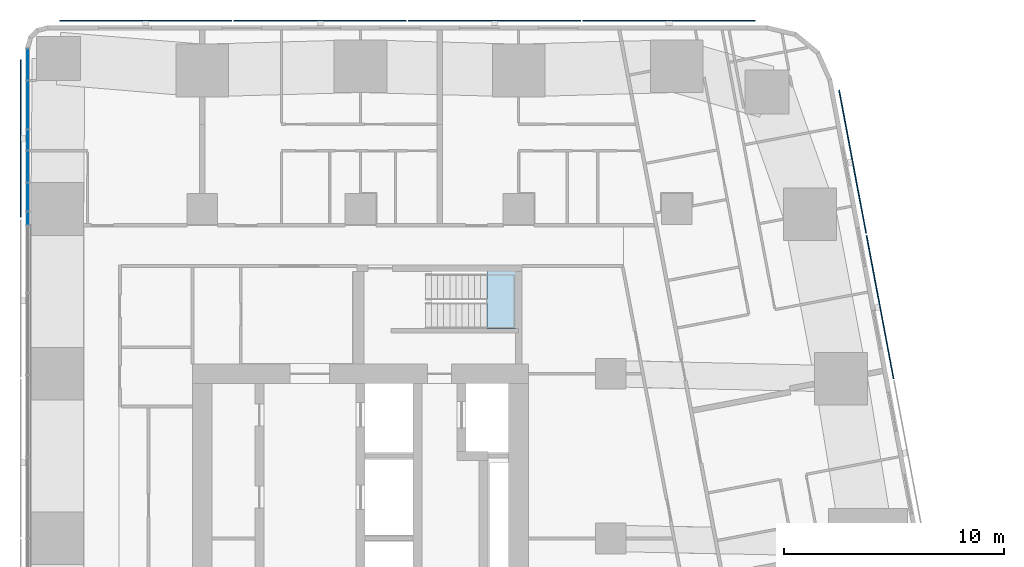
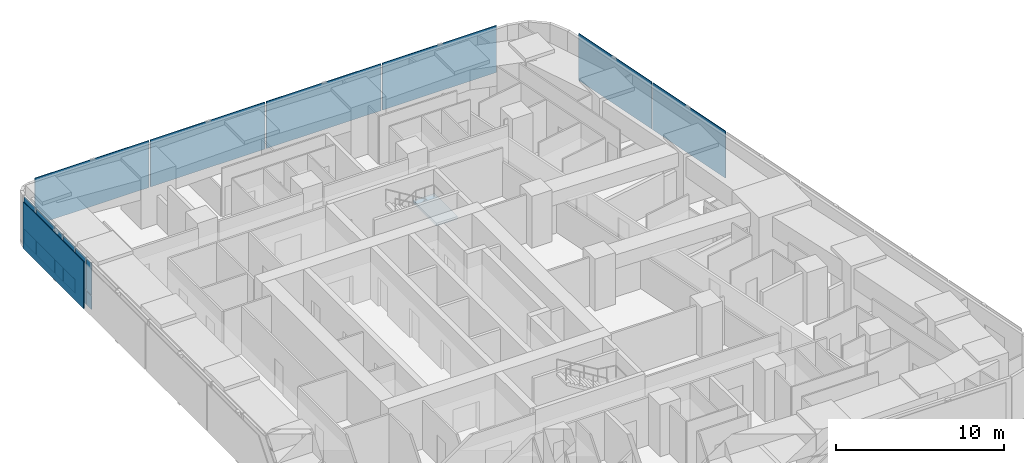
# One storey, part 9 of 19: 19 plates, 1 slab, 2 elements without a shape of their own.
"""IFC4 building model written with IfcOpenShell, lengths in metres."""

from ifc_helpers import new_model, si_unit, direction, frame, origin, origin_2d, place, context, subcontext, project, spatial, polyline, rectangle, outline, extrude, material, layer, layer_set, type_object, element, aggregate, save


model = new_model("IFC4")

# Units and contexts
model_context = context("Model", 3, precision=1e-05, world=origin(), true_north=direction((0.0, 1.0)))
body_context = subcontext(model_context, "Body", "Model", "MODEL_VIEW")
ifc_project = project(units=[si_unit("LENGTHUNIT", "METRE"), si_unit("AREAUNIT", "SQUARE_METRE"), si_unit("VOLUMEUNIT", "CUBIC_METRE"), si_unit("PLANEANGLEUNIT", "RADIAN"), si_unit("MASSUNIT", "GRAM", prefix="KILO")], contexts=[model_context])

# Site, building, storey
site_placement = place(None, origin())
site = spatial("IfcSite", under=ifc_project, at=site_placement, CompositionType="ELEMENT")
building_placement = place(site_placement, origin())
building = spatial("IfcBuilding", under=site, at=building_placement, Name="Sheger Commons Tower", CompositionType="ELEMENT")
storey_placement = place(building_placement, frame((0.0, 0.0, 219.949951171875)))
storey = spatial("IfcBuildingStorey", under=building, at=storey_placement, Name="L56", CompositionType="ELEMENT", Elevation=219.949951171875)

# Curtain wall, plates
ifc_material_1 = material(Name="Black aluminium curtain wall, dark tinted glazing", Category="aluminium")
curtain_wall_type = type_object("IfcCurtainWallType", Name="CURTAIN WALL CW4 GALLERY", PredefinedType="USERDEFINED", material=ifc_material_1)
curtain_wall_placement = place(storey_placement, origin())
curtain_wall = element("IfcCurtainWall", 1, at=curtain_wall_placement, inside=storey, type_object=curtain_wall_type, Name="Curtain Wall Cw4 Gallery W1 L56", ObjectType="UNITISED CURTAIN WALL", PredefinedType="USERDEFINED")
ifc_material_2 = material(Name="Dark tinted double glazing", Category="glass")
ifc_layer_1 = layer(ifc_material_2, 0.031982421875)
ifc_layer_set_1 = layer_set([ifc_layer_1], Name="GLAZED PANEL 32")
plate_type_1 = type_object("IfcPlateType", Name="GLAZED PANEL 32", PredefinedType="CURTAIN_PANEL", material=ifc_layer_set_1)
plate_1_placement = place(storey_placement, frame((6.449951171875, 44.0751953125, 0.065185546875), z_axis=(0.0, 0.0, 1.0), x_axis=(0.0, -1.0, 0.0)))
plate_1 = element("IfcPlate", 2, at=plate_1_placement, type_object=plate_type_1, Name="CW4 panel 1.1", PredefinedType="CURTAIN_PANEL", context=body_context, shape_type="SweptSolid", body=[
    extrude(rectangle(XDim=1.3935546875, YDim=0.031982421875, at=origin_2d()), origin(), (0.0, 0.0, 1.0), 1.00244140625),
])
plate_2_placement = place(storey_placement, frame((6.449951171875, 44.0751953125, 1.13232421875), z_axis=(0.0, 0.0, 1.0), x_axis=(0.0, -1.0, 0.0)))
plate_2 = element("IfcPlate", 3, at=plate_2_placement, type_object=plate_type_1, Name="CW4 panel 1.2", PredefinedType="CURTAIN_PANEL", context=body_context, shape_type="SweptSolid", body=[
    extrude(rectangle(XDim=1.3935546875, YDim=0.031982421875, at=origin_2d()), origin(), (0.0, 0.0, 1.0), 2.302490234375),
])
plate_3_placement = place(storey_placement, frame((6.449951171875, 42.22998046875, 0.065185546875), z_axis=(0.0, 0.0, 1.0), x_axis=(0.0, -1.0, 0.0)))
plate_3 = element("IfcPlate", 4, at=plate_3_placement, type_object=plate_type_1, Name="CW4 panel 2.1", PredefinedType="CURTAIN_PANEL", context=body_context, shape_type="SweptSolid", body=[
    extrude(rectangle(XDim=2.1669921875, YDim=0.031982421875, at=origin_2d()), origin(), (0.0, 0.0, 1.0), 1.00244140625),
])
plate_4_placement = place(storey_placement, frame((6.449951171875, 42.22998046875, 1.13232421875), z_axis=(0.0, 0.0, 1.0), x_axis=(0.0, -1.0, 0.0)))
plate_4 = element("IfcPlate", 5, at=plate_4_placement, type_object=plate_type_1, Name="CW4 panel 2.2", PredefinedType="CURTAIN_PANEL", context=body_context, shape_type="SweptSolid", body=[
    extrude(rectangle(XDim=2.1669921875, YDim=0.031982421875, at=origin_2d()), origin(), (0.0, 0.0, 1.0), 2.302490234375),
])
plate_5_placement = place(storey_placement, frame((6.449951171875, 40.632080078125, 0.065185546875), z_axis=(0.0, 0.0, 1.0), x_axis=(0.0, -1.0, 0.0)))
plate_5 = element("IfcPlate", 6, at=plate_5_placement, type_object=plate_type_1, Name="CW4 panel 3.1", PredefinedType="CURTAIN_PANEL", context=body_context, shape_type="SweptSolid", body=[
    extrude(rectangle(XDim=0.89892578125, YDim=0.031982421875, at=origin_2d()), origin(), (0.0, 0.0, 1.0), 1.00244140625),
])
plate_6_placement = place(storey_placement, frame((6.449951171875, 40.632080078125, 1.13232421875), z_axis=(0.0, 0.0, 1.0), x_axis=(0.0, -1.0, 0.0)))
plate_6 = element("IfcPlate", 7, at=plate_6_placement, type_object=plate_type_1, Name="CW4 panel 3.2", PredefinedType="CURTAIN_PANEL", context=body_context, shape_type="SweptSolid", body=[
    extrude(rectangle(XDim=0.89892578125, YDim=0.031982421875, at=origin_2d()), origin(), (0.0, 0.0, 1.0), 2.302490234375),
])
plate_7_placement = place(storey_placement, frame((6.449951171875, 39.425048828125, 0.065185546875), z_axis=(0.0, 0.0, 1.0), x_axis=(0.0, -1.0, 0.0)))
plate_7 = element("IfcPlate", 8, at=plate_7_placement, type_object=plate_type_1, Name="CW4 panel 4.1", PredefinedType="CURTAIN_PANEL", context=body_context, shape_type="SweptSolid", body=[
    extrude(rectangle(XDim=1.385009765625, YDim=0.031982421875, at=origin_2d()), origin(), (0.0, 0.0, 1.0), 1.00244140625),
])
plate_8_placement = place(storey_placement, frame((6.449951171875, 39.425048828125, 1.13232421875), z_axis=(0.0, 0.0, 1.0), x_axis=(0.0, -1.0, 0.0)))
plate_8 = element("IfcPlate", 9, at=plate_8_placement, type_object=plate_type_1, Name="CW4 panel 4.2", PredefinedType="CURTAIN_PANEL", context=body_context, shape_type="SweptSolid", body=[
    extrude(rectangle(XDim=1.385009765625, YDim=0.031982421875, at=origin_2d()), origin(), (0.0, 0.0, 1.0), 2.302490234375),
])
plate_9_placement = place(storey_placement, frame((6.449951171875, 38.04541015625, 0.065185546875), z_axis=(0.0, 0.0, 1.0), x_axis=(0.0, -1.0, 0.0)))
plate_9 = element("IfcPlate", 10, at=plate_9_placement, type_object=plate_type_1, Name="CW4 panel 5.1", PredefinedType="CURTAIN_PANEL", context=body_context, shape_type="SweptSolid", body=[
    extrude(rectangle(XDim=1.243896484375, YDim=0.031982421875, at=origin_2d()), origin(), (0.0, 0.0, 1.0), 1.00244140625),
])
plate_10_placement = place(storey_placement, frame((6.449951171875, 38.04541015625, 1.13232421875), z_axis=(0.0, 0.0, 1.0), x_axis=(0.0, -1.0, 0.0)))
plate_10 = element("IfcPlate", 11, at=plate_10_placement, type_object=plate_type_1, Name="CW4 panel 5.2", PredefinedType="CURTAIN_PANEL", context=body_context, shape_type="SweptSolid", body=[
    extrude(rectangle(XDim=1.243896484375, YDim=0.031982421875, at=origin_2d()), origin(), (0.0, 0.0, 1.0), 2.302490234375),
])
plate_11_placement = place(storey_placement, frame((6.449951171875, 37.070556640625, 0.065185546875), z_axis=(0.0, 0.0, 1.0), x_axis=(0.0, -1.0, 0.0)))
plate_11 = element("IfcPlate", 12, at=plate_11_placement, type_object=plate_type_1, Name="CW4 panel 6.1", PredefinedType="CURTAIN_PANEL", context=body_context, shape_type="SweptSolid", body=[
    extrude(rectangle(XDim=0.575927734375, YDim=0.031982421875, at=origin_2d()), origin(), (0.0, 0.0, 1.0), 1.00244140625),
])
plate_12_placement = place(storey_placement, frame((6.449951171875, 37.070556640625, 1.13232421875), z_axis=(0.0, 0.0, 1.0), x_axis=(0.0, -1.0, 0.0)))
plate_12 = element("IfcPlate", 13, at=plate_12_placement, type_object=plate_type_1, Name="CW4 panel 6.2", PredefinedType="CURTAIN_PANEL", context=body_context, shape_type="SweptSolid", body=[
    extrude(rectangle(XDim=0.575927734375, YDim=0.031982421875, at=origin_2d()), origin(), (0.0, 0.0, 1.0), 2.302490234375),
])
aggregate(curtain_wall, [plate_1, plate_2, plate_3, plate_4, plate_5, plate_6, plate_7, plate_8, plate_9, plate_10, plate_11, plate_12])

# Plates
ifc_material_3 = material(Name="Perforated black anodised aluminium screen", Category="aluminium")
ifc_layer_2 = layer(ifc_material_3, 0.050048828125)
ifc_layer_set_2 = layer_set([ifc_layer_2], Name="SOLAR SCREEN SCREEN-1")
plate_type_2 = type_object("IfcPlateType", Name="SOLAR SCREEN SCREEN-1", PredefinedType="USERDEFINED", material=ifc_layer_set_2)
for number, where, z_axis, x_axis, name in (
    (14, (45.2548828125, 33.028076171875, 0.050048828125), (0.0, 0.0, 1.0), (-0.185615165645, 0.982622516678, 0.0), "Perforated solar screen panel"),
    (15, (44.0048828125, 39.64794921875, 0.050048828125), (0.0, 0.0, 1.0), (-0.185615165645, 0.982622516678, 0.0), "Perforated solar screen panel"),
):
    element("IfcPlate", number, at=place(storey_placement, frame(where, z_axis=z_axis, x_axis=x_axis)), inside=storey, type_object=plate_type_2, Name=name, ObjectType="SCREEN", PredefinedType="USERDEFINED", context=body_context, shape_type="SweptSolid", body=[
        extrude(rectangle(XDim=6.636962890625, YDim=0.050048828125, at=origin_2d()), origin(), (0.0, 0.0, 1.0), 3.39990234375),
    ])
for number, where, z_axis, x_axis, name in (
    (16, (35.64697265625, 46.074951171875, 0.050048828125), (0.0, 0.0, 1.0), (-1.0, 0.0, 0.0), "Perforated solar screen panel"),
    (17, (27.705078125, 46.074951171875, 0.050048828125), (0.0, 0.0, 1.0), (-1.0, 0.0, 0.0), "Perforated solar screen panel"),
    (18, (19.762939453125, 46.074951171875, 0.050048828125), (0.0, 0.0, 1.0), (-1.0, 0.0, 0.0), "Perforated solar screen panel"),
    (19, (11.821044921875, 46.074951171875, 0.050048828125), (0.0, 0.0, 1.0), (-1.0, 0.0, 0.0), "Perforated solar screen panel"),
):
    element("IfcPlate", number, at=place(storey_placement, frame(where, z_axis=z_axis, x_axis=x_axis)), inside=storey, type_object=plate_type_2, Name=name, ObjectType="SCREEN", PredefinedType="USERDEFINED", context=body_context, shape_type="SweptSolid", body=[
        extrude(rectangle(XDim=7.842041015625, YDim=0.050048828125, at=origin_2d()), origin(), (0.0, 0.0, 1.0), 3.39990234375),
    ])
plate_13_placement = place(storey_placement, frame((6.125, 40.7080078125, 0.050048828125), z_axis=(0.0, 0.0, 1.0), x_axis=(0.0, -1.0, 0.0)))
element("IfcPlate", 20, at=plate_13_placement, inside=storey, type_object=plate_type_2, Name="Perforated solar screen panel", ObjectType="SCREEN", PredefinedType="USERDEFINED", context=body_context, shape_type="SweptSolid", body=[
    extrude(rectangle(XDim=7.18310546875, YDim=0.050048828125, at=origin_2d()), origin(), (0.0, 0.0, 1.0), 3.39990234375),
])

# Stair, slab
ifc_material_4 = material(Name="Concrete C35/45", Category="concrete")
stair_type = type_object("IfcStairType", Name="HALF-TURN STAIR 1200 RISE 3750", PredefinedType="HALF_TURN_STAIR", material=ifc_material_4)
stair_placement = place(storey_placement, origin())
stair = element("IfcStair", 21, at=stair_placement, inside=storey, type_object=stair_type, Name="Stair S2 L56", PredefinedType="HALF_TURN_STAIR")
ifc_material_5 = material(Name="Concrete C35/45", Category="concrete")
ifc_layer_3 = layer(ifc_material_5, 0.199951171875)
ifc_layer_set_3 = layer_set([ifc_layer_3], Name="STAIR LANDING 200")
slab_type = type_object("IfcSlabType", Name="STAIR LANDING 200", PredefinedType="LANDING", material=ifc_layer_set_3)
slab_placement = place(storey_placement, frame((0.0, 0.0, 1.675048828125)))
slab = element("IfcSlab", 22, at=slab_placement, type_object=slab_type, Name="S2 landing 1", PredefinedType="LANDING", context=body_context, shape_type="SweptSolid", body=[
    extrude(outline(polyline([(27.35009765625, 32.050048828125), (28.800048828125, 32.050048828125), (28.800048828125, 34.800048828125), (27.35009765625, 34.800048828125), (27.35009765625, 32.050048828125)])), origin(), (0.0, 0.0, 1.0), 0.199951171875),
])
aggregate(stair, [slab])

save(model, "model.ifc")
